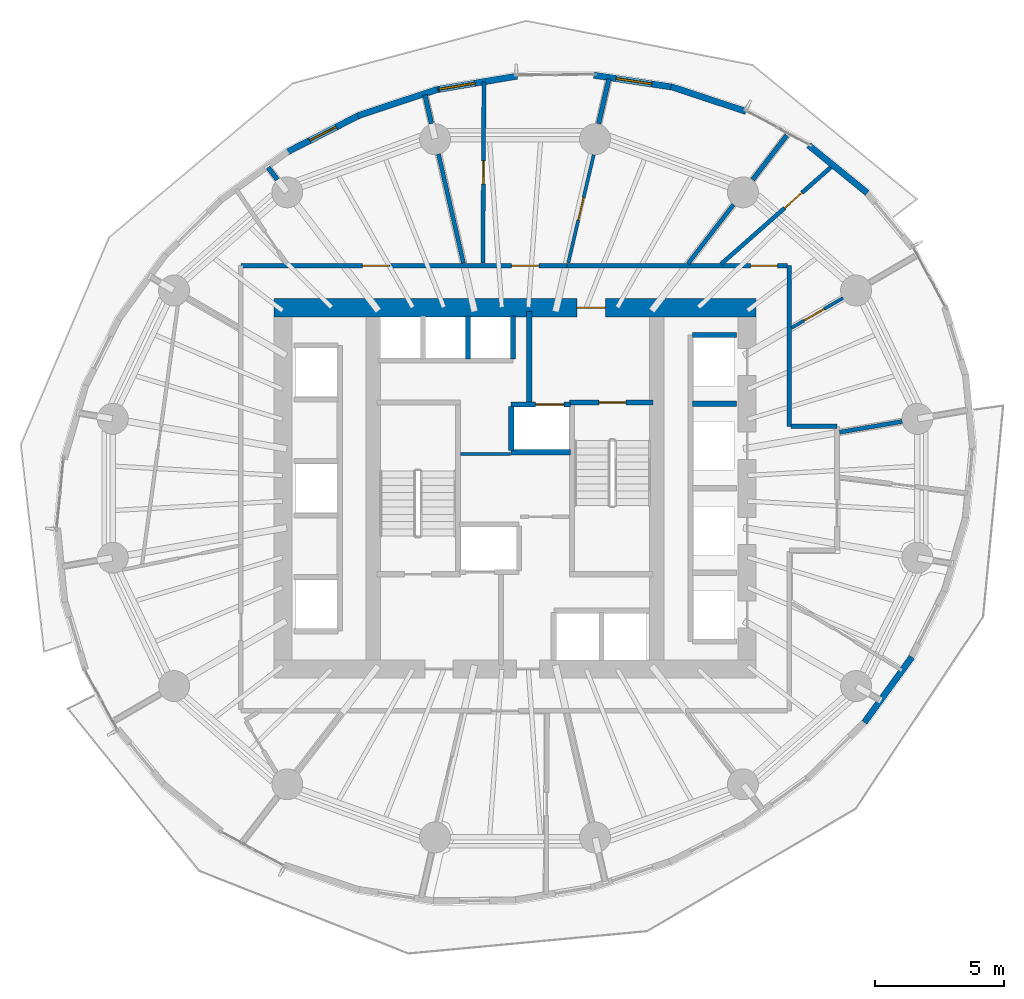
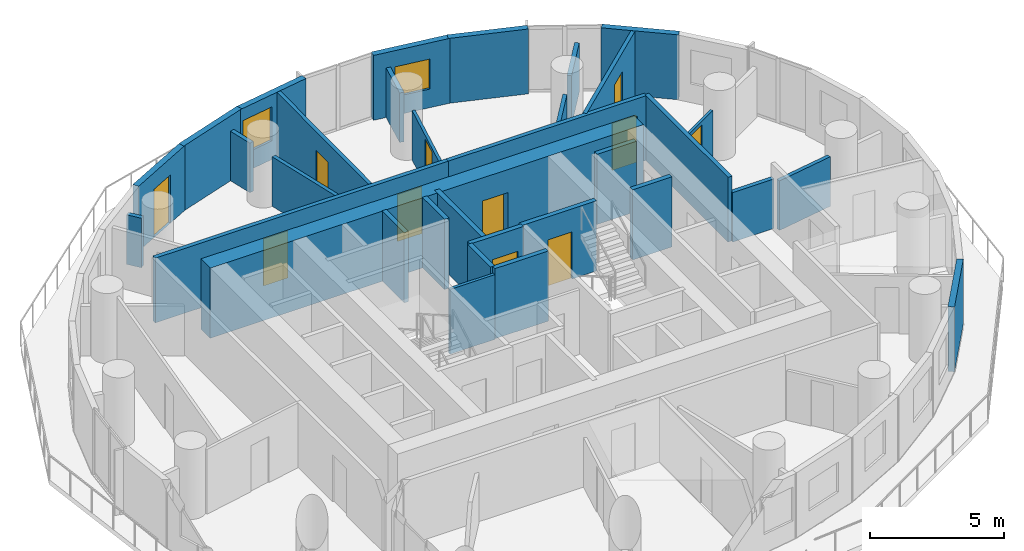
# One storey, part 9 of 14: 33 walls, 11 doors, 2 windows, 13 openings.
"""IFC4 building model written with IfcOpenShell, lengths in metres."""

from ifc_helpers import new_model, si_unit, direction, frame, frame_2d, origin, place, context, subcontext, project, spatial, rectangle, extrude, material, layer, layer_set, type_object, element, fill, save


model = new_model("IFC4")

# Units and contexts
model_context = context("Model", 3, precision=1e-05, world=origin(), true_north=direction((0.0, 1.0)))
body_context = subcontext(model_context, "Body", "Model", "MODEL_VIEW")
ifc_project = project(units=[si_unit("LENGTHUNIT", "METRE"), si_unit("AREAUNIT", "SQUARE_METRE"), si_unit("VOLUMEUNIT", "CUBIC_METRE"), si_unit("PLANEANGLEUNIT", "RADIAN"), si_unit("MASSUNIT", "GRAM", prefix="KILO")], contexts=[model_context])

# Site, building, storey
site_placement = place(None, origin())
site = spatial("IfcSite", under=ifc_project, at=site_placement, CompositionType="ELEMENT")
building_placement = place(site_placement, origin())
building = spatial("IfcBuilding", under=site, at=building_placement, Name="Veldorim Arch Residences", CompositionType="ELEMENT")
storey_placement = place(building_placement, frame((0.0, 0.0, 96.47998046875)))
storey = spatial("IfcBuildingStorey", under=building, at=storey_placement, Name="L28", CompositionType="ELEMENT", Elevation=96.47998046875)

# Wall
ifc_material_1 = material(Name="Acoustic Gypsum Board", Category="gypsum")
ifc_layer_1 = layer(ifc_material_1, 0.125, Name="Acoustic Stud Room Partition Wall 125")
ifc_layer_set_1 = layer_set([ifc_layer_1], Name="Acoustic Gypsum Board")
wall_type_1 = type_object("IfcWallType", Name="Acoustic Stud Room Partition Wall 125", PredefinedType="PARTITIONING", material=ifc_layer_set_1)
wall_1_placement = place(storey_placement, frame((29.889892578125, 25.330078125, 0.0), z_axis=(0.0, 0.0, 1.0), x_axis=(1.0, 0.0, 0.0)))
element("IfcWall", 1, at=wall_1_placement, inside=storey, type_object=wall_type_1, Name="L28 interior wall WL-CA-L28-N", PredefinedType="PARTITIONING", context=body_context, shape_type="SweptSolid", body=[
    extrude(rectangle(XDim=1.940185546875, YDim=0.125, at=frame_2d((0.97021484375, 0.0))), origin(), (0.0, 0.0, 1.0), 2.955078125),
])

# Wall, opening, door
wall_2_placement = place(storey_placement, frame((44.711181640625, 31.37548828125, 0.0), z_axis=(0.0, 0.0, 1.0), x_axis=(-0.864966854608, -0.501828995207, 0.0)))
wall_2 = element("IfcWall", 2, at=wall_2_placement, inside=storey, type_object=wall_type_1, Name="L28 interior wall WL-RES-L28-022", PredefinedType="PARTITIONING", context=body_context, shape_type="SweptSolid", body=[
    extrude(rectangle(XDim=2.305908203125, YDim=0.125, at=frame_2d((1.15283203125, 0.0))), origin(), (0.0, 0.0, 1.0), 2.260498046875),
])
opening_1_placement = place(wall_2_placement, frame((0.843017578125, 0.0, 0.0)))
opening_1 = element("IfcOpeningElement", 3, at=opening_1_placement, cuts=wall_2, Name="Opening DR-INT", PredefinedType="OPENING", context=body_context, shape_type="SweptSolid", body=[
    extrude(rectangle(XDim=0.89990234375, YDim=2.10009765625, at=frame_2d((0.449951171875, 1.050048828125))), frame((0.0, 0.072509765625, 0.0), z_axis=(0.0, -1.0, 0.0), x_axis=(1.0, 0.0, 0.0)), (0.0, 0.0, 1.0), 0.14501953125),
])
ifc_material_2 = material(Name="Engineered Timber", Category="wood")
door_type_1 = type_object("IfcDoorType", Name="Apartment Internal Room Timber Door 900x2100", OperationType="SINGLE_SWING_LEFT", PredefinedType="DOOR", material=ifc_material_2)
door_1_placement = place(opening_1_placement, origin())
door_1 = element("IfcDoor", 4, at=door_1_placement, inside=storey, type_object=door_type_1, Name="L28 interior door DR-RES-L28-010", OperationType="SINGLE_SWING_RIGHT", OverallHeight=2.10009765625, OverallWidth=0.89990234375, PredefinedType="DOOR", context=body_context, shape_type="SweptSolid", body=[
    extrude(rectangle(XDim=0.89990234375, YDim=2.10009765625, at=frame_2d((0.449951171875, 1.050048828125))), frame((0.0, 0.02490234375, 0.0), z_axis=(0.0, -1.0, 0.0), x_axis=(1.0, 0.0, 0.0)), (0.0, 0.0, 1.0), 0.050048828125),
])
fill(opening_1, door_1)

wall_3_placement = place(storey_placement, frame((35.048828125, 36.9267578125, 0.0), z_axis=(0.0, 0.0, 1.0), x_axis=(-0.229552612231, -0.973296254086, 0.0)))
wall_3 = element("IfcWall", 5, at=wall_3_placement, inside=storey, type_object=wall_type_1, Name="L28 interior wall WL-RES-L28-025", PredefinedType="PARTITIONING", context=body_context, shape_type="SweptSolid", body=[
    extrude(rectangle(XDim=4.294677734375, YDim=0.125, at=frame_2d((2.1474609375, 0.0))), origin(), (0.0, 0.0, 1.0), 2.260498046875),
])
opening_2_placement = place(wall_3_placement, frame((1.697509765625, 0.0, 0.0)))
opening_2 = element("IfcOpeningElement", 6, at=opening_2_placement, cuts=wall_3, Name="Opening DR-INT", PredefinedType="OPENING", context=body_context, shape_type="SweptSolid", body=[
    extrude(rectangle(XDim=0.89990234375, YDim=2.10009765625, at=frame_2d((0.449951171875, 1.050048828125))), frame((0.0, 0.072509765625, 0.0), z_axis=(0.0, -1.0, 0.0), x_axis=(1.0, 0.0, 0.0)), (0.0, 0.0, 1.0), 0.14501953125),
])
door_2_placement = place(opening_2_placement, origin())
door_2 = element("IfcDoor", 7, at=door_2_placement, inside=storey, type_object=door_type_1, Name="L28 interior door DR-RES-L28-013", OperationType="SINGLE_SWING_LEFT", OverallHeight=2.10009765625, OverallWidth=0.89990234375, PredefinedType="DOOR", context=body_context, shape_type="SweptSolid", body=[
    extrude(rectangle(XDim=0.89990234375, YDim=2.10009765625, at=frame_2d((0.449951171875, 1.050048828125))), frame((0.0, 0.02490234375, 0.0), z_axis=(0.0, -1.0, 0.0), x_axis=(1.0, 0.0, 0.0)), (0.0, 0.0, 1.0), 0.050048828125),
])
fill(opening_2, door_2)

# Walls
ifc_material_3 = material(Name="Lightweight Masonry Block & Gypsum", Category="masonry")
ifc_layer_2 = layer(ifc_material_3, 0.179931640625, Name="Compartment & Corridor Fire-Rated Party Wall 180")
ifc_layer_set_2 = layer_set([ifc_layer_2], Name="Lightweight Masonry Block & Gypsum")
wall_type_2 = type_object("IfcWallType", Name="Compartment & Corridor Fire-Rated Party Wall 180", PredefinedType="PARTITIONING", material=ifc_layer_set_2)
wall_4_placement = place(storey_placement, frame((41.2119140625, 35.965576171875, 0.0), z_axis=(0.0, 0.0, 1.0), x_axis=(0.610026423006, 0.792381071981, 0.0)))
element("IfcWall", 8, at=wall_4_placement, inside=storey, type_object=wall_type_2, Name="L28 interior wall WL-PIER-L28-03", PredefinedType="PARTITIONING", context=body_context, shape_type="SweptSolid", body=[
    extrude(rectangle(XDim=2.16748046875, YDim=0.179931640625, at=frame_2d((1.083740234375, 0.0))), origin(), (0.0, 0.0, 1.0), 2.260498046875),
])
wall_5_placement = place(storey_placement, frame((35.240478515625, 38.13916015625, 0.0), z_axis=(0.0, 0.0, 1.0), x_axis=(0.223406034992, 0.974725470853, 0.0)))
element("IfcWall", 9, at=wall_5_placement, inside=storey, type_object=wall_type_2, Name="L28 interior wall WL-PIER-L28-04", PredefinedType="PARTITIONING", context=body_context, shape_type="SweptSolid", body=[
    extrude(rectangle(XDim=1.779052734375, YDim=0.179931640625, at=frame_2d((0.8896484375, 0.0))), origin(), (0.0, 0.0, 1.0), 2.260498046875),
])
wall_6_placement = place(storey_placement, frame((28.759521484375, 38.13916015625, 0.0), z_axis=(0.0, 0.0, 1.0), x_axis=(-0.223325248633, 0.974743983476, 0.0)))
element("IfcWall", 10, at=wall_6_placement, inside=storey, type_object=wall_type_2, Name="L28 interior wall WL-PIER-L28-05", PredefinedType="PARTITIONING", context=body_context, shape_type="SweptSolid", body=[
    extrude(rectangle(XDim=1.13916015625, YDim=0.179931640625, at=frame_2d((0.569580078125, 0.0))), origin(), (0.0, 0.0, 1.0), 2.260498046875),
])
wall_7_placement = place(storey_placement, frame((22.7880859375, 35.965576171875, 0.0), z_axis=(0.0, 0.0, 1.0), x_axis=(-0.609809319142, 0.792548165279, 0.0)))
element("IfcWall", 11, at=wall_7_placement, inside=storey, type_object=wall_type_2, Name="L28 interior wall WL-PIER-L28-06", PredefinedType="PARTITIONING", context=body_context, shape_type="SweptSolid", body=[
    extrude(rectangle(XDim=0.5986328125, YDim=0.179931640625, at=frame_2d((0.29931640625, 0.0))), origin(), (0.0, 0.0, 1.0), 2.260498046875),
])
wall_8_placement = place(storey_placement, frame((42.6298828125, 32.6298828125, 0.0), z_axis=(0.0, 0.0, 1.0), x_axis=(0.0, -1.0, 0.0)))
element("IfcWall", 12, at=wall_8_placement, inside=storey, type_object=wall_type_2, Name="L28 interior wall WL-RES-L28-006", PredefinedType="PARTITIONING", context=body_context, shape_type="SweptSolid", body=[
    extrude(rectangle(XDim=6.22998046875, YDim=0.179931640625, at=frame_2d((3.114990234375, 0.0))), origin(), (0.0, 0.0, 1.0), 2.955078125),
])

# Wall, opening, door
wall_9_placement = place(storey_placement, frame((34.015380859375, 32.6298828125, 0.0), z_axis=(0.0, 0.0, 1.0), x_axis=(1.0, 0.0, 0.0)))
wall_9 = element("IfcWall", 13, at=wall_9_placement, inside=storey, type_object=wall_type_2, Name="L28 interior wall WL-RES-L28-007", PredefinedType="PARTITIONING", context=body_context, shape_type="SweptSolid", body=[
    extrude(rectangle(XDim=8.5546875, YDim=0.179931640625, at=frame_2d((4.27734375, 0.0))), origin(), (0.0, 0.0, 1.0), 2.955078125),
])
opening_3_placement = place(wall_9_placement, frame((7.1123046875, 0.0, 0.0)))
opening_3 = element("IfcOpeningElement", 14, at=opening_3_placement, cuts=wall_9, Name="Opening DR-FLT", PredefinedType="OPENING", context=body_context, shape_type="SweptSolid", body=[
    extrude(rectangle(XDim=1.050048828125, YDim=2.14990234375, at=frame_2d((0.52490234375, 1.074951171875))), frame((0.0, 0.099853515625, 0.0), z_axis=(0.0, -1.0, 0.0), x_axis=(1.0, 0.0, 0.0)), (0.0, 0.0, 1.0), 0.199951171875),
])
ifc_material_4 = material(Name="Fire-Rated Timber", Category="wood")
door_type_2 = type_object("IfcDoorType", Name="Apartment Entrance Solid-Core Fire Door 1050x2150", OperationType="SINGLE_SWING_LEFT", PredefinedType="DOOR", material=ifc_material_4)
door_3_placement = place(opening_3_placement, origin())
door_3 = element("IfcDoor", 15, at=door_3_placement, inside=storey, type_object=door_type_2, Name="L28 interior door DR-RES-L28-008", OperationType="SINGLE_SWING_RIGHT", OverallHeight=2.14990234375, OverallWidth=1.050048828125, PredefinedType="DOOR", context=body_context, shape_type="SweptSolid", body=[
    extrude(rectangle(XDim=1.050048828125, YDim=2.14990234375, at=frame_2d((0.52490234375, 1.074951171875))), frame((0.0, 0.02490234375, 0.0), z_axis=(0.0, -1.0, 0.0), x_axis=(1.0, 0.0, 0.0)), (0.0, 0.0, 1.0), 0.050048828125),
])
fill(opening_3, door_3)

# Wall
wall_10_placement = place(storey_placement, frame((42.68994140625, 26.39990234375, 0.0), z_axis=(0.0, 0.0, 1.0), x_axis=(1.0, 0.0, 0.0)))
element("IfcWall", 16, at=wall_10_placement, inside=storey, type_object=wall_type_2, Name="L28 interior wall WL-RES-L28-008", PredefinedType="PARTITIONING", context=body_context, shape_type="SweptSolid", body=[
    extrude(rectangle(XDim=1.7900390625, YDim=0.179931640625, at=frame_2d((0.89501953125, 0.0))), origin(), (0.0, 0.0, 1.0), 2.260498046875),
])

# Wall, openings, doors
wall_11_placement = place(storey_placement, frame((21.3701171875, 32.6298828125, 0.0), z_axis=(0.0, 0.0, 1.0), x_axis=(1.0, 0.0, 0.0)))
wall_11 = element("IfcWall", 17, at=wall_11_placement, inside=storey, type_object=wall_type_2, Name="L28 interior wall WL-RES-L28-009", PredefinedType="PARTITIONING", context=body_context, shape_type="SweptSolid", body=[
    extrude(rectangle(XDim=12.685791015625, YDim=0.179931640625, at=frame_2d((6.3427734375, 0.0))), origin(), (0.0, 0.0, 1.0), 2.955078125),
])
opening_4_placement = place(wall_11_placement, frame((10.49853515625, 0.0, 0.0)))
opening_4 = element("IfcOpeningElement", 18, at=opening_4_placement, cuts=wall_11, Name="Opening DR-FLT", PredefinedType="OPENING", context=body_context, shape_type="SweptSolid", body=[
    extrude(rectangle(XDim=1.050048828125, YDim=2.14990234375, at=frame_2d((0.52490234375, 1.074951171875))), frame((0.0, 0.099853515625, 0.0), z_axis=(0.0, -1.0, 0.0), x_axis=(1.0, 0.0, 0.0)), (0.0, 0.0, 1.0), 0.199951171875),
])
opening_5_placement = place(wall_11_placement, frame((4.712890625, 0.0, 0.0)))
opening_5 = element("IfcOpeningElement", 19, at=opening_5_placement, cuts=wall_11, Name="Opening DR-FLT", PredefinedType="OPENING", context=body_context, shape_type="SweptSolid", body=[
    extrude(rectangle(XDim=1.050048828125, YDim=2.14990234375, at=frame_2d((0.52490234375, 1.074951171875))), frame((0.0, 0.099853515625, 0.0), z_axis=(0.0, -1.0, 0.0), x_axis=(1.0, 0.0, 0.0)), (0.0, 0.0, 1.0), 0.199951171875),
])
door_4_placement = place(opening_4_placement, origin())
door_4 = element("IfcDoor", 20, at=door_4_placement, inside=storey, type_object=door_type_2, Name="L28 interior door DR-RES-L28-011", OperationType="SINGLE_SWING_LEFT", OverallHeight=2.14990234375, OverallWidth=1.050048828125, PredefinedType="DOOR", context=body_context, shape_type="SweptSolid", body=[
    extrude(rectangle(XDim=1.050048828125, YDim=2.14990234375, at=frame_2d((0.52490234375, 1.074951171875))), frame((0.0, 0.02490234375, 0.0), z_axis=(0.0, -1.0, 0.0), x_axis=(1.0, 0.0, 0.0)), (0.0, 0.0, 1.0), 0.050048828125),
])
fill(opening_4, door_4)
door_5_placement = place(opening_5_placement, origin())
door_5 = element("IfcDoor", 21, at=door_5_placement, inside=storey, type_object=door_type_2, Name="L28 interior door DR-RES-L28-014", OperationType="SINGLE_SWING_RIGHT", OverallHeight=2.14990234375, OverallWidth=1.050048828125, PredefinedType="DOOR", context=body_context, shape_type="SweptSolid", body=[
    extrude(rectangle(XDim=1.050048828125, YDim=2.14990234375, at=frame_2d((0.52490234375, 1.074951171875))), frame((0.0, 0.02490234375, 0.0), z_axis=(0.0, -1.0, 0.0), x_axis=(1.0, 0.0, 0.0)), (0.0, 0.0, 1.0), 0.050048828125),
])
fill(opening_5, door_5)

# Wall, opening, door
ifc_material_5 = material(Name="Concrete C50/60", Category="concrete")
ifc_layer_3 = layer(ifc_material_5, 0.199951171875, Name="Core Stair & Lift Shaft Enclosure Wall 200")
ifc_layer_set_3 = layer_set([ifc_layer_3], Name="Concrete C50/60")
wall_type_3 = type_object("IfcWallType", Name="Core Stair & Lift Shaft Enclosure Wall 200", PredefinedType="SHEAR", material=ifc_layer_set_3)
wall_12_placement = place(storey_placement, frame((34.110107421875, 27.330078125, 0.0), z_axis=(0.0, 0.0, 1.0), x_axis=(1.0, 0.0, 0.0)))
wall_12 = element("IfcWall", 22, at=wall_12_placement, inside=storey, type_object=wall_type_3, Name="L28 shaft wall WL-SHF-L28-ST2-N", PredefinedType="SHEAR", context=body_context, shape_type="SweptSolid", body=[
    extrude(rectangle(XDim=3.239990234375, YDim=0.199951171875, at=frame_2d((1.6201171875, 0.0))), origin(), (0.0, 0.0, 1.0), 3.199951171875),
])
opening_6_placement = place(wall_12_placement, frame((1.135009765625, 0.0, 0.0)))
opening_6 = element("IfcOpeningElement", 23, at=opening_6_placement, cuts=wall_12, Name="Opening DR-ST", PredefinedType="OPENING", context=body_context, shape_type="SweptSolid", body=[
    extrude(rectangle(XDim=1.050048828125, YDim=2.14990234375, at=frame_2d((0.52490234375, 1.074951171875))), frame((0.0, 0.10986328125, 0.0), z_axis=(0.0, -1.0, 0.0), x_axis=(1.0, 0.0, 0.0)), (0.0, 0.0, 1.0), 0.219970703125),
])
ifc_material_6 = material(Name="Fire-Rated Steel", Category="steel")
door_type_3 = type_object("IfcDoorType", Name="Exit Staircase Self-Closing Fire Door 1050x2150", OperationType="SINGLE_SWING_LEFT", PredefinedType="DOOR", material=ifc_material_6)
door_6_placement = place(opening_6_placement, origin())
door_6 = element("IfcDoor", 24, at=door_6_placement, inside=storey, type_object=door_type_3, Name="L28 interior door DR-L28-ST2", OperationType="SINGLE_SWING_RIGHT", OverallHeight=2.14990234375, OverallWidth=1.050048828125, PredefinedType="DOOR", context=body_context, shape_type="SweptSolid", body=[
    extrude(rectangle(XDim=1.050048828125, YDim=2.14990234375, at=frame_2d((0.52490234375, 1.074951171875))), frame((0.0, 0.02490234375, 0.0), z_axis=(0.0, -1.0, 0.0), x_axis=(1.0, 0.0, 0.0)), (0.0, 0.0, 1.0), 0.050048828125),
])
fill(opening_6, door_6)

# Wall
wall_13_placement = place(storey_placement, frame((32.550048828125, 27.35009765625, 0.0), z_axis=(0.0, 0.0, 1.0), x_axis=(0.0, 1.0, 0.0)))
element("IfcWall", 25, at=wall_13_placement, inside=storey, type_object=wall_type_3, Name="L28 shaft wall WL-FFL2-L28-W", PredefinedType="SHEAR", context=body_context, shape_type="SweptSolid", body=[
    extrude(rectangle(XDim=3.5, YDim=0.199951171875, at=frame_2d((1.75, 0.0))), origin(), (0.0, 0.0, 1.0), 3.199951171875),
])

# Wall, opening, door
wall_14_placement = place(storey_placement, frame((31.85009765625, 27.25, 0.0), z_axis=(0.0, 0.0, 1.0), x_axis=(1.0, 0.0, 0.0)))
wall_14 = element("IfcWall", 26, at=wall_14_placement, inside=storey, type_object=wall_type_3, Name="L28 shaft wall WL-FL02-L28-N", PredefinedType="SHEAR", context=body_context, shape_type="SweptSolid", body=[
    extrude(rectangle(XDim=2.2998046875, YDim=0.199951171875, at=frame_2d((1.14990234375, 0.0))), origin(), (0.0, 0.0, 1.0), 3.199951171875),
])
opening_7_placement = place(wall_14_placement, frame((0.949951171875, 0.0, 0.0)))
opening_7 = element("IfcOpeningElement", 27, at=opening_7_placement, cuts=wall_14, Name="Opening LD-FF", PredefinedType="OPENING", context=body_context, shape_type="SweptSolid", body=[
    extrude(rectangle(XDim=1.10009765625, YDim=2.14990234375, at=frame_2d((0.550048828125, 1.074951171875))), frame((0.0, 0.10986328125, 0.0), z_axis=(0.0, -1.0, 0.0), x_axis=(1.0, 0.0, 0.0)), (0.0, 0.0, 1.0), 0.219970703125),
])
ifc_material_7 = material(Name="Stainless Steel", Category="steel")
door_type_4 = type_object("IfcDoorType", Name="Firefighting Lift Bi-Parting Sliding Landing Door 1100x2150", OperationType="DOUBLE_DOOR_SLIDING", PredefinedType="DOOR", material=ifc_material_7)
door_7_placement = place(opening_7_placement, origin())
door_7 = element("IfcDoor", 28, at=door_7_placement, inside=storey, type_object=door_type_4, Name="L28 lift landing door LD-L28-FL02", OperationType="DOUBLE_DOOR_SLIDING", OverallHeight=2.14990234375, OverallWidth=1.10009765625, PredefinedType="DOOR", context=body_context, shape_type="SweptSolid", body=[
    extrude(rectangle(XDim=1.10009765625, YDim=2.14990234375, at=frame_2d((0.550048828125, 1.074951171875))), frame((0.0, 0.02490234375, 0.0), z_axis=(0.0, -1.0, 0.0), x_axis=(1.0, 0.0, 0.0)), (0.0, 0.0, 1.0), 0.050048828125),
])
fill(opening_7, door_7)

# Walls
wall_15_placement = place(storey_placement, frame((31.85009765625, 25.39990234375, 0.0), z_axis=(0.0, 0.0, 1.0), x_axis=(1.0, 0.0, 0.0)))
element("IfcWall", 29, at=wall_15_placement, inside=storey, type_object=wall_type_3, Name="L28 shaft wall WL-FL02-L28-S", PredefinedType="SHEAR", context=body_context, shape_type="SweptSolid", body=[
    extrude(rectangle(XDim=2.2998046875, YDim=0.199951171875, at=frame_2d((1.14990234375, 0.0))), origin(), (0.0, 0.0, 1.0), 3.199951171875),
])
for number, where, z_axis, x_axis, name in (
    (30, (31.85009765625, 25.469970703125, 0.0), (0.0, 0.0, 1.0), (0.0, 1.0, 0.0), "L28 shaft wall WL-FL02-L28-W"),
    (31, (38.8701171875, 29.93994140625, 0.0), (0.0, 0.0, 1.0), (1.0, 0.0, 0.0), "L28 shaft wall WL-B1-L28-N"),
    (32, (38.8701171875, 27.27490234375, 0.0), (0.0, 0.0, 1.0), (1.0, 0.0, 0.0), "L28 shaft wall WL-B1-L28-D3"),
):
    element("IfcWall", number, at=place(storey_placement, frame(where, z_axis=z_axis, x_axis=x_axis)), inside=storey, type_object=wall_type_3, Name=name, PredefinedType="SHEAR", context=body_context, shape_type="SweptSolid", body=[
        extrude(rectangle(XDim=1.7099609375, YDim=0.199951171875, at=frame_2d((0.85498046875, 0.0))), origin(), (0.0, 0.0, 1.0), 3.199951171875),
    ])
for number, where, z_axis, x_axis, name in (
    (33, (31.919921875, 29.02001953125, 0.0), (0.0, 0.0, 1.0), (0.0, 1.0, 0.0), "L28 shaft wall WL-B3-L28-E"),
    (34, (30.175048828125, 29.02001953125, 0.0), (0.0, 0.0, 1.0), (0.0, 1.0, 0.0), "L28 shaft wall WL-B3-L28-D2"),
):
    element("IfcWall", number, at=place(storey_placement, frame(where, z_axis=z_axis, x_axis=x_axis)), inside=storey, type_object=wall_type_3, Name=name, PredefinedType="SHEAR", context=body_context, shape_type="SweptSolid", body=[
        extrude(rectangle(XDim=1.659912109375, YDim=0.199951171875, at=frame_2d((0.830078125, 0.0))), origin(), (0.0, 0.0, 1.0), 3.199951171875),
    ])

# Wall, opening, door
ifc_material_8 = material(Name="Concrete C60/75", Category="concrete")
ifc_layer_4 = layer(ifc_material_8, 0.699951171875, Name="Mid-Lower Central Core Shear Wall 700")
ifc_layer_set_4 = layer_set([ifc_layer_4], Name="Concrete C60/75")
wall_type_4 = type_object("IfcWallType", Name="Mid-Lower Central Core Shear Wall 700", PredefinedType="SHEAR", material=ifc_layer_set_4)
wall_16_placement = place(storey_placement, frame((22.64990234375, 31.0, 0.0), z_axis=(0.0, 0.0, 1.0), x_axis=(1.0, 0.0, 0.0)))
wall_16 = element("IfcWall", 35, at=wall_16_placement, inside=storey, type_object=wall_type_4, Name="L28 central core north shear wall", PredefinedType="SHEAR", context=body_context, shape_type="SweptSolid", body=[
    extrude(rectangle(XDim=18.7001953125, YDim=0.699951171875, at=frame_2d((9.35009765625, 0.0))), origin(), (0.0, 0.0, 1.0), 3.199951171875),
])
opening_8_placement = place(wall_16_placement, frame((11.75, 0.0, 0.0)))
opening_8 = element("IfcOpeningElement", 36, at=opening_8_placement, cuts=wall_16, Name="Opening DR-FFL", PredefinedType="OPENING", context=body_context, shape_type="SweptSolid", body=[
    extrude(rectangle(XDim=1.10009765625, YDim=2.14990234375, at=frame_2d((0.550048828125, 1.074951171875))), frame((0.0, 0.35986328125, 0.0), z_axis=(0.0, -1.0, 0.0), x_axis=(1.0, 0.0, 0.0)), (0.0, 0.0, 1.0), 0.719970703125),
])
ifc_material_9 = material(Name="Fire-Rated Steel & Vision Glass", Category="steel")
door_type_5 = type_object("IfcDoorType", Name="Firefighting Lobby Smoke-Stop Fire Door 1100x2150", OperationType="SINGLE_SWING_LEFT", PredefinedType="DOOR", material=ifc_material_9)
door_8_placement = place(opening_8_placement, origin())
door_8 = element("IfcDoor", 37, at=door_8_placement, inside=storey, type_object=door_type_5, Name="L28 interior door DR-L28-FFL2", OperationType="SINGLE_SWING_LEFT", OverallHeight=2.14990234375, OverallWidth=1.10009765625, PredefinedType="DOOR", context=body_context, shape_type="SweptSolid", body=[
    extrude(rectangle(XDim=1.10009765625, YDim=2.14990234375, at=frame_2d((0.550048828125, 1.074951171875))), frame((0.0, 0.02490234375, 0.0), z_axis=(0.0, -1.0, 0.0), x_axis=(1.0, 0.0, 0.0)), (0.0, 0.0, 1.0), 0.050048828125),
])
fill(opening_8, door_8)

# Walls
ifc_material_10 = material(Name="Precast concrete C40/50", Category="concrete")
ifc_layer_5 = layer(ifc_material_10, 0.25, Name="Tower Terracotta Spandrel & Pier Wall 250")
ifc_layer_set_5 = layer_set([ifc_layer_5], Name="Precast concrete C40/50")
wall_type_5 = type_object("IfcWallType", Name="Tower Terracotta Spandrel & Pier Wall 250", PredefinedType="SOLIDWALL", material=ifc_layer_set_5)
wall_17_placement = place(storey_placement, frame((43.383056640625, 37.2978515625, 0.0), z_axis=(0.0, 0.0, 1.0), x_axis=(0.776285131062, -0.630381943976, 0.0)))
element("IfcWall", 38, at=wall_17_placement, inside=storey, type_object=wall_type_5, Name="L28 terracotta facade wall 03", PredefinedType="SOLIDWALL", context=body_context, shape_type="SweptSolid", body=[
    extrude(rectangle(XDim=2.92333984375, YDim=0.25, at=frame_2d((1.461669921875, 0.0))), origin(), (0.0, 0.0, 1.0), 2.9599609375),
])
wall_18_placement = place(storey_placement, frame((38.04541015625, 39.57373046875, 0.0), z_axis=(0.0, 0.0, 1.0), x_axis=(0.949533409058, -0.313665913166, 0.0)))
element("IfcWall", 39, at=wall_18_placement, inside=storey, type_object=wall_type_5, Name="L28 terracotta facade wall 05", PredefinedType="SOLIDWALL", context=body_context, shape_type="SweptSolid", body=[
    extrude(rectangle(XDim=3.060546875, YDim=0.25, at=frame_2d((1.5302734375, 0.0))), origin(), (0.0, 0.0, 1.0), 2.9599609375),
])

# Wall, opening, window
wall_19_placement = place(storey_placement, frame((35.05712890625, 40.01708984375, 0.0), z_axis=(0.0, 0.0, 1.0), x_axis=(0.988719703222, -0.149777663425, 0.0)))
wall_19 = element("IfcWall", 40, at=wall_19_placement, inside=storey, type_object=wall_type_5, Name="L28 terracotta facade wall 06", PredefinedType="SOLIDWALL", context=body_context, shape_type="SweptSolid", body=[
    extrude(rectangle(XDim=3.13134765625, YDim=0.25, at=frame_2d((1.565673828125, 0.0))), origin(), (0.0, 0.0, 1.0), 2.9599609375),
])
opening_9_placement = place(wall_19_placement, frame((0.865966796875, 0.0, 0.85009765625)))
opening_9 = element("IfcOpeningElement", 41, at=opening_9_placement, cuts=wall_19, Name="Opening WN-02", PredefinedType="OPENING", context=body_context, shape_type="SweptSolid", body=[
    extrude(rectangle(XDim=1.39990234375, YDim=1.3701171875, at=frame_2d((0.699951171875, 0.68505859375))), frame((0.0, 0.135009765625, 0.0), z_axis=(0.0, -1.0, 0.0), x_axis=(1.0, 0.0, 0.0)), (0.0, 0.0, 1.0), 0.27001953125),
])
ifc_material_11 = material(Name="Laminated Low-E Glass", Category="glass")
window_type = type_object("IfcWindowType", Name="Residential Casement Window 1400x1550", PartitioningType="SINGLE_PANEL", PredefinedType="WINDOW", material=ifc_material_11)
window_1_placement = place(opening_9_placement, origin())
window_1 = element("IfcWindow", 42, at=window_1_placement, inside=storey, type_object=window_type, Name="L28 solar-control facade window 06", OverallHeight=1.3701171875, OverallWidth=1.39990234375, PartitioningType="SINGLE_PANEL", PredefinedType="WINDOW", context=body_context, shape_type="SweptSolid", body=[
    extrude(rectangle(XDim=1.39990234375, YDim=1.3701171875, at=frame_2d((0.699951171875, 0.68505859375))), frame((0.0, 0.030029296875, 0.0), z_axis=(0.0, -1.0, 0.0), x_axis=(1.0, 0.0, 0.0)), (0.0, 0.0, 1.0), 0.06005859375),
])
fill(opening_9, window_1)

wall_20_placement = place(storey_placement, frame((28.892578125, 39.444580078125, 0.0), z_axis=(0.0, 0.0, 1.0), x_axis=(0.986043062305, 0.166490478044, 0.0)))
wall_20 = element("IfcWall", 43, at=wall_20_placement, inside=storey, type_object=wall_type_5, Name="L28 terracotta facade wall 08", PredefinedType="SOLIDWALL", context=body_context, shape_type="SweptSolid", body=[
    extrude(rectangle(XDim=3.236328125, YDim=0.25, at=frame_2d((1.6181640625, 0.0))), origin(), (0.0, 0.0, 1.0), 2.9599609375),
])
opening_10_placement = place(wall_20_placement, frame((0.175048828125, 0.0, 0.85009765625)))
opening_10 = element("IfcOpeningElement", 44, at=opening_10_placement, cuts=wall_20, Name="Opening WN-02", PredefinedType="OPENING", context=body_context, shape_type="SweptSolid", body=[
    extrude(rectangle(XDim=1.39990234375, YDim=1.550048828125, at=frame_2d((0.699951171875, 0.77490234375))), frame((0.0, 0.135009765625, 0.0), z_axis=(0.0, -1.0, 0.0), x_axis=(1.0, 0.0, 0.0)), (0.0, 0.0, 1.0), 0.27001953125),
])
window_2_placement = place(opening_10_placement, origin())
window_2 = element("IfcWindow", 45, at=window_2_placement, inside=storey, type_object=window_type, Name="L28 solar-control facade window 08", OverallHeight=1.550048828125, OverallWidth=1.39990234375, PartitioningType="SINGLE_PANEL", PredefinedType="WINDOW", context=body_context, shape_type="SweptSolid", body=[
    extrude(rectangle(XDim=1.39990234375, YDim=1.550048828125, at=frame_2d((0.699951171875, 0.77490234375))), frame((0.0, 0.030029296875, 0.0), z_axis=(0.0, -1.0, 0.0), x_axis=(1.0, 0.0, 0.0)), (0.0, 0.0, 1.0), 0.06005859375),
])
fill(opening_10, window_2)

# Wall
wall_21_placement = place(storey_placement, frame((25.904296875, 38.4453125, 0.0), z_axis=(0.0, 0.0, 1.0), x_axis=(0.949206293356, 0.314654433709, 0.0)))
element("IfcWall", 46, at=wall_21_placement, inside=storey, type_object=wall_type_5, Name="L28 terracotta facade wall 09", PredefinedType="SOLIDWALL", context=body_context, shape_type="SweptSolid", body=[
    extrude(rectangle(XDim=3.259521484375, YDim=0.25, at=frame_2d((1.6298828125, 0.0))), origin(), (0.0, 0.0, 1.0), 2.9599609375),
])

# Wall, opening, door
wall_22_placement = place(storey_placement, frame((23.10107421875, 37.00634765625, 0.0), z_axis=(0.0, 0.0, 1.0), x_axis=(0.89081817606, 0.454359964347, 0.0)))
wall_22 = element("IfcWall", 47, at=wall_22_placement, inside=storey, type_object=wall_type_5, Name="L28 terracotta facade wall 10", PredefinedType="SOLIDWALL", context=body_context, shape_type="SweptSolid", body=[
    extrude(rectangle(XDim=3.259521484375, YDim=0.25, at=frame_2d((1.6298828125, 0.0))), origin(), (0.0, 0.0, 1.0), 2.9599609375),
])
opening_11_placement = place(wall_22_placement, frame((1.054931640625, 0.0, 0.0)))
opening_11 = element("IfcOpeningElement", 48, at=opening_11_placement, cuts=wall_22, Name="Opening BL-DR", PredefinedType="OPENING", context=body_context, shape_type="SweptSolid", body=[
    extrude(rectangle(XDim=1.14990234375, YDim=2.199951171875, at=frame_2d((0.574951171875, 1.10009765625))), frame((0.0, 0.135009765625, 0.0), z_axis=(0.0, -1.0, 0.0), x_axis=(1.0, 0.0, 0.0)), (0.0, 0.0, 1.0), 0.27001953125),
])
ifc_material_12 = material(Name="Aluminium & Low-E Glass", Category="aluminium")
door_type_6 = type_object("IfcDoorType", Name="Glazed Planted Balcony Door 1150x2200", OperationType="SINGLE_SWING_LEFT", PredefinedType="DOOR", material=ifc_material_12)
door_9_placement = place(opening_11_placement, origin())
door_9 = element("IfcDoor", 49, at=door_9_placement, inside=storey, type_object=door_type_6, Name="L28 glazed outdoor terrace door BALC-1", OperationType="SINGLE_SWING_RIGHT", OverallHeight=2.199951171875, OverallWidth=1.14990234375, PredefinedType="DOOR", context=body_context, shape_type="SweptSolid", body=[
    extrude(rectangle(XDim=1.14990234375, YDim=2.199951171875, at=frame_2d((0.574951171875, 1.10009765625))), frame((0.0, 0.02490234375, 0.0), z_axis=(0.0, -1.0, 0.0), x_axis=(1.0, 0.0, 0.0)), (0.0, 0.0, 1.0), 0.050048828125),
])
fill(opening_11, door_9)

# Walls
wall_23_placement = place(storey_placement, frame((47.386474609375, 17.453125, 0.0), z_axis=(0.0, 0.0, 1.0), x_axis=(-0.588208785685, -0.808709109905, 0.0)))
element("IfcWall", 50, at=wall_23_placement, inside=storey, type_object=wall_type_5, Name="L28 terracotta facade wall 31", PredefinedType="SOLIDWALL", context=body_context, shape_type="SweptSolid", body=[
    extrude(rectangle(XDim=3.131103515625, YDim=0.25, at=frame_2d((1.5654296875, 0.0))), origin(), (0.0, 0.0, 1.0), 2.9599609375),
])
ifc_material_13 = material(Name="Moisture-Resistant Gypsum & Stud", Category="gypsum")
ifc_layer_6 = layer(ifc_material_13, 0.159912109375, Name="Wet-Area Moisture-Resistant Plumbing Wall 160")
ifc_layer_set_6 = layer_set([ifc_layer_6], Name="Moisture-Resistant Gypsum & Stud")
wall_type_6 = type_object("IfcWallType", Name="Wet-Area Moisture-Resistant Plumbing Wall 160", PredefinedType="PLUMBINGWALL", material=ifc_layer_set_6)
wall_24_placement = place(storey_placement, frame((44.57861328125, 26.17138671875, 0.0), z_axis=(0.0, 0.0, 1.0), x_axis=(0.985404570769, 0.170228763457, 0.0)))
element("IfcWall", 51, at=wall_24_placement, inside=storey, type_object=wall_type_6, Name="L28 interior wall WL-RES-L28-019", PredefinedType="PLUMBINGWALL", context=body_context, shape_type="SweptSolid", body=[
    extrude(rectangle(XDim=2.4638671875, YDim=0.159912109375, at=frame_2d((1.23193359375, 0.0))), origin(), (0.0, 0.0, 1.0), 2.260498046875),
])

# Wall, opening, door
wall_25_placement = place(storey_placement, frame((39.99072265625, 32.696044921875, 0.0), z_axis=(0.0, 0.0, 1.0), x_axis=(0.750059872717, 0.661369932292, 0.0)))
wall_25 = element("IfcWall", 52, at=wall_25_placement, inside=storey, type_object=wall_type_6, Name="L28 interior wall WL-RES-L28-021", PredefinedType="PLUMBINGWALL", context=body_context, shape_type="SweptSolid", body=[
    extrude(rectangle(XDim=5.775146484375, YDim=0.159912109375, at=frame_2d((2.8876953125, 0.0))), origin(), (0.0, 0.0, 1.0), 2.955078125),
])
opening_12_placement = place(wall_25_placement, frame((3.277587890625, 0.0, 0.0)))
opening_12 = element("IfcOpeningElement", 53, at=opening_12_placement, cuts=wall_25, Name="Opening DR-WC", PredefinedType="OPENING", context=body_context, shape_type="SweptSolid", body=[
    extrude(rectangle(XDim=0.89990234375, YDim=2.10009765625, at=frame_2d((0.449951171875, 1.050048828125))), frame((0.0, 0.08984375, 0.0), z_axis=(0.0, -1.0, 0.0), x_axis=(1.0, 0.0, 0.0)), (0.0, 0.0, 1.0), 0.179931640625),
])
ifc_material_14 = material(Name="Laminate Timber", Category="wood")
door_type_7 = type_object("IfcDoorType", Name="Bathroom & Accessible WC Moisture-Sealed Door 900x2100", OperationType="SINGLE_SWING_LEFT", PredefinedType="DOOR", material=ifc_material_14)
door_10_placement = place(opening_12_placement, origin())
door_10 = element("IfcDoor", 54, at=door_10_placement, inside=storey, type_object=door_type_7, Name="L28 interior door DR-RES-L28-009", OperationType="SINGLE_SWING_LEFT", OverallHeight=2.10009765625, OverallWidth=0.89990234375, PredefinedType="DOOR", context=body_context, shape_type="SweptSolid", body=[
    extrude(rectangle(XDim=0.89990234375, YDim=2.10009765625, at=frame_2d((0.449951171875, 1.050048828125))), frame((0.0, 0.02490234375, 0.0), z_axis=(0.0, -1.0, 0.0), x_axis=(1.0, 0.0, 0.0)), (0.0, 0.0, 1.0), 0.050048828125),
])
fill(opening_12, door_10)

# Wall
wall_26_placement = place(storey_placement, frame((38.704833984375, 32.709228515625, 0.0), z_axis=(0.0, 0.0, 1.0), x_axis=(0.610033601295, 0.792375545617, 0.0)))
element("IfcWall", 55, at=wall_26_placement, inside=storey, type_object=wall_type_6, Name="L28 interior wall WL-RES-L28-023", PredefinedType="PLUMBINGWALL", context=body_context, shape_type="SweptSolid", body=[
    extrude(rectangle(XDim=2.88671875, YDim=0.159912109375, at=frame_2d((1.443359375, 0.0))), origin(), (0.0, 0.0, 1.0), 2.260498046875),
])

# Wall, opening, door
wall_27_placement = place(storey_placement, frame((30.751708984375, 32.72998046875, 0.0), z_axis=(0.0, 0.0, 1.0), x_axis=(0.006016026892, 0.999981903546, 0.0)))
wall_27 = element("IfcWall", 56, at=wall_27_placement, inside=storey, type_object=wall_type_6, Name="L28 interior wall WL-RES-L28-024", PredefinedType="PLUMBINGWALL", context=body_context, shape_type="SweptSolid", body=[
    extrude(rectangle(XDim=7.020751953125, YDim=0.159912109375, at=frame_2d((3.51025390625, 0.0))), origin(), (0.0, 0.0, 1.0), 2.955078125),
])
opening_13_placement = place(wall_27_placement, frame((3.060302734375, 0.0, 0.0)))
opening_13 = element("IfcOpeningElement", 57, at=opening_13_placement, cuts=wall_27, Name="Opening DR-WC", PredefinedType="OPENING", context=body_context, shape_type="SweptSolid", body=[
    extrude(rectangle(XDim=0.89990234375, YDim=2.10009765625, at=frame_2d((0.449951171875, 1.050048828125))), frame((0.0, 0.08984375, 0.0), z_axis=(0.0, -1.0, 0.0), x_axis=(1.0, 0.0, 0.0)), (0.0, 0.0, 1.0), 0.179931640625),
])
door_11_placement = place(opening_13_placement, origin())
door_11 = element("IfcDoor", 58, at=door_11_placement, inside=storey, type_object=door_type_7, Name="L28 interior door DR-RES-L28-012", OperationType="SINGLE_SWING_RIGHT", OverallHeight=2.10009765625, OverallWidth=0.89990234375, PredefinedType="DOOR", context=body_context, shape_type="SweptSolid", body=[
    extrude(rectangle(XDim=0.89990234375, YDim=2.10009765625, at=frame_2d((0.449951171875, 1.050048828125))), frame((0.0, 0.02490234375, 0.0), z_axis=(0.0, -1.0, 0.0), x_axis=(1.0, 0.0, 0.0)), (0.0, 0.0, 1.0), 0.050048828125),
])
fill(opening_13, door_11)

# Wall
wall_28_placement = place(storey_placement, frame((30.0, 32.7275390625, 0.0), z_axis=(0.0, 0.0, 1.0), x_axis=(-0.223409547543, 0.974724665773, 0.0)))
element("IfcWall", 59, at=wall_28_placement, inside=storey, type_object=wall_type_6, Name="L28 interior wall WL-RES-L28-026", PredefinedType="PLUMBINGWALL", context=body_context, shape_type="SweptSolid", body=[
    extrude(rectangle(XDim=4.341552734375, YDim=0.159912109375, at=frame_2d((2.1708984375, 0.0))), origin(), (0.0, 0.0, 1.0), 2.260498046875),
])

save(model, "model.ifc")
